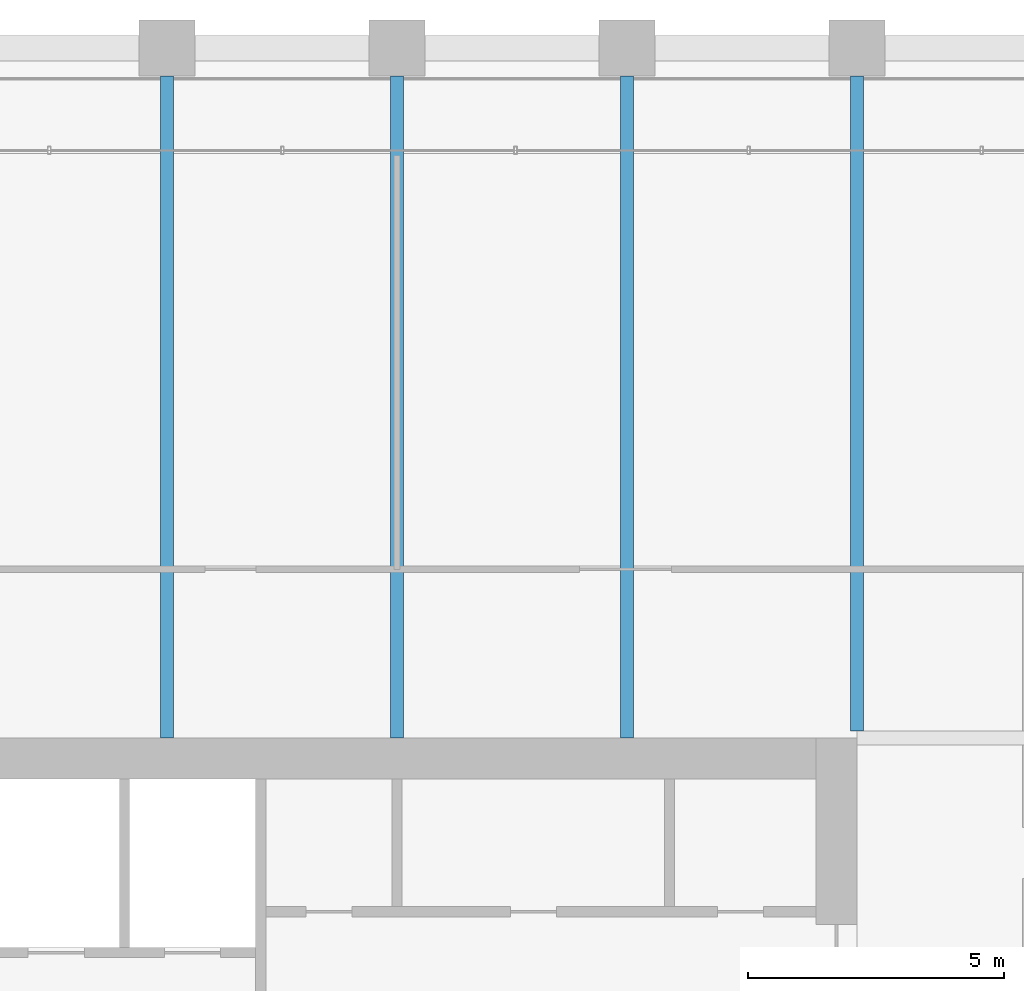
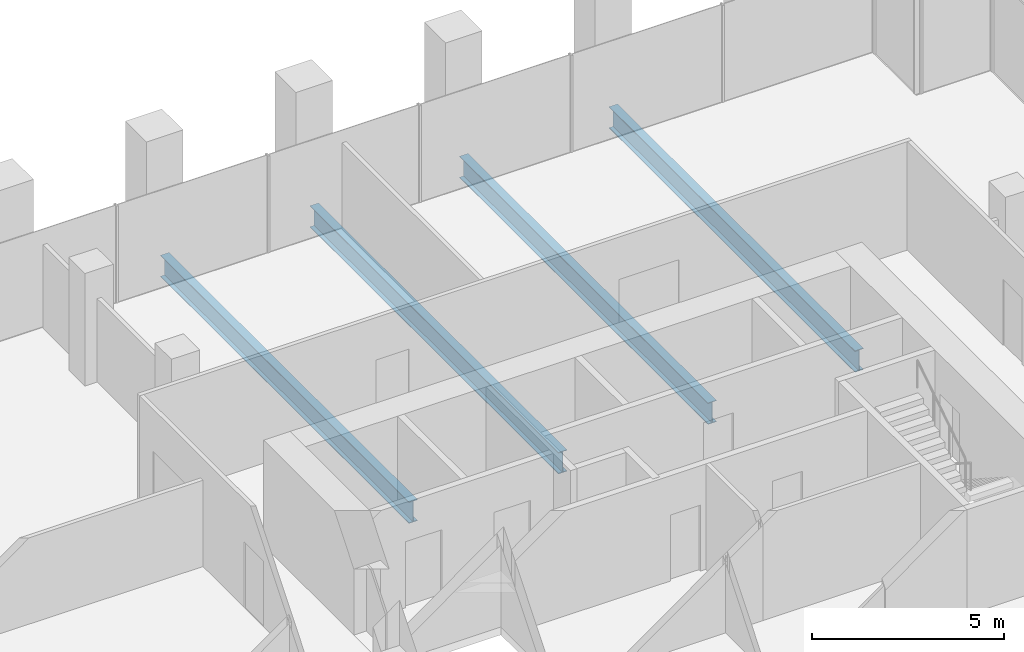
# One storey, part 28 of 56: 4 beams.
"""IFC4 building model written with IfcOpenShell, lengths in metres."""

import ifcopenshell
import ifcopenshell.guid

model = None  # the IFC model being written
_history = None  # IfcOwnerHistory: only IFC2X3 demands one
_inside = {}  # id of a spatial element -> (the spatial element, [elements in it])
_under = {}  # id of a project, library or spatial element -> (it, [spatial elements below it])
_declared = {}  # id of a project -> (the project, [libraries it declares])
_typed = {}  # id of a type object -> (the type object, [elements of that type])
_made_of = {}  # id of a material, layer set ... -> (it, [elements and type objects made of it])


def new_model(schema):
    """Start an empty IFC model of exactly this schema.

    Asked for "IFC4X3", IfcOpenShell would pick the latest addendum, in which some entities
    have other attributes; the version numbers below select the first issue.
    IFC2X3 requires an IfcOwnerHistory on every rooted entity: one is made here for all.
    """
    global model, _history
    if schema == "IFC4X3":
        model = ifcopenshell.file(schema_version=(4, 3, 0, 0))
    else:
        model = ifcopenshell.file(schema=schema)
    _inside.clear()
    _under.clear()
    _declared.clear()
    _typed.clear()
    _made_of.clear()
    _history = None
    if model.schema == "IFC2X3":
        org = make("IfcOrganization", Name="unknown")
        user = make(
            "IfcPersonAndOrganization",
            ThePerson=make("IfcPerson", FamilyName="unknown"),
            TheOrganization=org,
        )
        app = make(
            "IfcApplication",
            ApplicationDeveloper=org,
            Version="unknown",
            ApplicationFullName="unknown",
            ApplicationIdentifier="unknown",
        )
        _history = make(
            "IfcOwnerHistory",
            OwningUser=user,
            OwningApplication=app,
            ChangeAction="ADDED",
            CreationDate=0,
        )
    return model


def make(cls, **values):
    """One entity of the class cls with the attributes given. An attribute that is None is left unset."""
    return model.create_entity(
        cls, **{name: value for name, value in values.items() if value is not None}
    )


def rooted(cls, **values):
    """An entity with a GlobalId (a new one), such as an element, a storey or a relation."""
    return make(cls, GlobalId=ifcopenshell.guid.new(), OwnerHistory=_history, **values)


def si_unit(unit_type, name, prefix=None):
    """IfcSIUnit, for example si_unit("LENGTHUNIT", "METRE", prefix="MILLI")."""
    return make("IfcSIUnit", UnitType=unit_type, Prefix=prefix, Name=name)


def assignment(units):
    """IfcUnitAssignment: the units of a project."""
    return None if units is None else make("IfcUnitAssignment", Units=units)


def point(xyz):
    """IfcCartesianPoint."""
    return None if xyz is None else make("IfcCartesianPoint", Coordinates=xyz)


def direction(xyz):
    """IfcDirection."""
    return None if xyz is None else make("IfcDirection", DirectionRatios=xyz)


def frame(location, z_axis=None, x_axis=None):
    """IfcAxis2Placement3D, a coordinate frame: its origin and axes. An axis left out is left unset."""
    return make(
        "IfcAxis2Placement3D",
        Location=point(location),
        Axis=direction(z_axis),
        RefDirection=direction(x_axis),
    )


def frame_2d(location, x_axis=None):
    """IfcAxis2Placement2D, a coordinate frame in the plane: its origin and x axis."""
    return make(
        "IfcAxis2Placement2D", Location=point(location), RefDirection=direction(x_axis)
    )


def origin():
    """The frame at (0, 0, 0) with its axes left unset."""
    return frame((0.0, 0.0, 0.0))


def origin_2d():
    """The frame at (0, 0) in the plane with its x axis left unset."""
    return frame_2d((0.0, 0.0))


def place(relative_to, where):
    """IfcLocalPlacement: puts the frame where relative to a parent placement (None: the world)."""
    return make(
        "IfcLocalPlacement", PlacementRelTo=relative_to, RelativePlacement=where
    )


def context(
    kind, dimensions, precision=None, world=None, true_north=None, identifier=None
):
    """IfcGeometricRepresentationContext, for example the 3D "Model" context."""
    return make(
        "IfcGeometricRepresentationContext",
        ContextIdentifier=identifier,
        ContextType=kind,
        CoordinateSpaceDimension=dimensions,
        Precision=precision,
        WorldCoordinateSystem=world,
        TrueNorth=true_north,
    )


def subcontext(parent, identifier, kind, view, scale=None):
    """IfcGeometricRepresentationSubContext, for example "Body" below "Model"."""
    return make(
        "IfcGeometricRepresentationSubContext",
        ContextIdentifier=identifier,
        ContextType=kind,
        ParentContext=parent,
        TargetScale=scale,
        TargetView=view,
    )


def project(units=None, contexts=None):
    """IfcProject with its units and contexts."""
    return rooted(
        "IfcProject",
        Name="project",
        RepresentationContexts=contexts,
        UnitsInContext=assignment(units),
    )


def spatial(cls, under=None, at=None, **own):
    """A site, building, storey or space (cls), placed at a placement, below another one or the project."""
    s = rooted(cls, ObjectPlacement=at, **own)
    if under is not None:
        _under.setdefault(under.id(), (under, []))[1].append(s)
    return s


def profile(cls, at=None, kind="AREA", **sizes):
    """A parametric profile (cls). Its sizes go by their IFC names, for example OverallWidth=200.0."""
    return make(cls, ProfileType=kind, Position=at, **sizes)


def i_section(**sizes):
    """IfcIShapeProfileDef."""
    return profile("IfcIShapeProfileDef", **sizes)


def extrude(swept, where, along, depth):
    """IfcExtrudedAreaSolid: the profile swept, set in the frame where, extruded along a direction by depth."""
    return make(
        "IfcExtrudedAreaSolid",
        SweptArea=swept,
        Position=where,
        ExtrudedDirection=direction(along),
        Depth=depth,
    )


def shape(context_of_items, identifier, shape_type, items):
    """IfcShapeRepresentation: the items that make up one representation, for example the "Body"."""
    return make(
        "IfcShapeRepresentation",
        ContextOfItems=context_of_items,
        RepresentationIdentifier=identifier,
        RepresentationType=shape_type,
        Items=items,
    )


def material(Name=None, Category=None):
    """IfcMaterial."""
    return make("IfcMaterial", Name=Name, Category=Category)


def material_profile(
    of_material, cross_section, Name=None, Category=None, Priority=None
):
    """IfcMaterialProfile: a cross section and its material."""
    return make(
        "IfcMaterialProfile",
        Name=Name,
        Material=of_material,
        Profile=cross_section,
        Priority=Priority,
        Category=Category,
    )


def profile_set(profiles, Name=None, composite=None):
    """IfcMaterialProfileSet."""
    return make(
        "IfcMaterialProfileSet",
        Name=Name,
        MaterialProfiles=profiles,
        CompositeProfile=composite,
    )


def made_of(thing, what):
    """Note that an element or type object is made of a material, layer set ...; save() writes the relation."""
    if what is not None:
        _made_of.setdefault(what.id(), (what, []))[1].append(thing)
    return thing


def type_object(cls, material=None, **own):
    """A type object (cls), such as IfcWallType, which elements share."""
    return made_of(rooted(cls, **own), material)


def element(
    cls,
    number,
    at=None,
    inside=None,
    cuts=None,
    type_object=None,
    material=None,
    context=None,
    identifier="Body",
    shape_type=None,
    held_by="IfcProductDefinitionShape",
    body=None,
    shapes=None,
    **own,
):
    """One element of the class cls, such as IfcWall. Its Tag is "e" and its number.

    at: its placement. inside: the storey or other place that contains it. cuts: it is an
    opening in that element (IfcRelVoidsElement). A single representation is given by context,
    identifier, shape_type and body (its items); several are given by shapes. held_by: the class
    of the entity that holds the representations. save() writes the other relations.
    """
    e = rooted(cls, Tag="e%d" % number, ObjectPlacement=at, **own)
    if body is not None:
        shapes = [shape(context, identifier, shape_type, body)]
    if shapes is not None:
        e.Representation = make(held_by, Representations=shapes)
    if inside is not None:
        _inside.setdefault(inside.id(), (inside, []))[1].append(e)
    if cuts is not None:
        rooted(
            "IfcRelVoidsElement", RelatingBuildingElement=cuts, RelatedOpeningElement=e
        )
    if type_object is not None:
        _typed.setdefault(type_object.id(), (type_object, []))[1].append(e)
    return made_of(e, material)


def aggregate(whole, parts):
    """IfcRelAggregates: a whole, such as a stair, and the parts it consists of."""
    return rooted("IfcRelAggregates", RelatingObject=whole, RelatedObjects=parts)


def save(model, path):
    """Write the relations noted so far, then the file.

    IfcRelAggregates (storeys below a building ...), IfcRelContainedInSpatialStructure (elements
    in a storey), IfcRelDefinesByType, IfcRelAssociatesMaterial and IfcRelDeclares: one each for
    every whole, place, type object, material and project.
    """
    for whole, parts in _under.values():
        aggregate(whole, parts)
    for where, things in _inside.values():
        rooted(
            "IfcRelContainedInSpatialStructure",
            RelatedElements=things,
            RelatingStructure=where,
        )
    for kind, things in _typed.values():
        rooted("IfcRelDefinesByType", RelatedObjects=things, RelatingType=kind)
    for what, things in _made_of.values():
        rooted("IfcRelAssociatesMaterial", RelatedObjects=things, RelatingMaterial=what)
    for by, libraries in _declared.values():
        rooted("IfcRelDeclares", RelatingContext=by, RelatedDefinitions=libraries)
    model.write(path)


model = new_model("IFC4")

# Units and contexts
model_context = context("Model", 3, precision=1e-05, world=origin(), true_north=direction((0.0, 1.0)))
body_context = subcontext(model_context, "Body", "Model", "MODEL_VIEW")
ifc_project = project(units=[si_unit("LENGTHUNIT", "METRE"), si_unit("AREAUNIT", "SQUARE_METRE"), si_unit("VOLUMEUNIT", "CUBIC_METRE"), si_unit("PLANEANGLEUNIT", "RADIAN"), si_unit("MASSUNIT", "GRAM", prefix="KILO")], contexts=[model_context])

# Site, building, storey
site_placement = place(None, origin())
site = spatial("IfcSite", under=ifc_project, at=site_placement, CompositionType="ELEMENT")
building_placement = place(site_placement, origin())
building = spatial("IfcBuilding", under=site, at=building_placement, Name="Altepetl Exchange Towers", CompositionType="ELEMENT")
storey_placement = place(building_placement, frame((0.0, 0.0, 79.800048828125)))
storey = spatial("IfcBuildingStorey", under=building, at=storey_placement, Name="L19", CompositionType="ELEMENT", Elevation=79.800048828125)

# Beams
ifc_material = material(Name="Steel S355", Category="steel")
ifc_material_profile = material_profile(ifc_material, i_section(OverallWidth=0.25390625, OverallDepth=0.68408203125, WebThickness=0.012451171875, FlangeThickness=0.018798828125, at=origin_2d()), Name="W27X94")
ifc_profile_set = profile_set([ifc_material_profile], Name="Steel S355")
beam_type = type_object("IfcBeamType", Name="Floor beam W27X94", PredefinedType="BEAM", material=ifc_profile_set)
for number, where, z_axis, x_axis, name in (
    (1, (45.0, 58.5, -0.491943359375), (0.0, 1.0, 0.0), (-1.0, 0.0, 0.0), "bm:A:L19:000"),
    (2, (49.5, 58.5, -0.491943359375), (0.0, 1.0, 0.0), (-1.0, 0.0, 0.0), "bm:A:L19:001"),
    (3, (54.0, 58.5, -0.491943359375), (0.0, 1.0, 0.0), (-1.0, 0.0, 0.0), "bm:A:L19:002"),
):
    element("IfcBeam", number, at=place(storey_placement, frame(where, z_axis=z_axis, x_axis=x_axis)), inside=storey, type_object=beam_type, Name=name, PredefinedType="BEAM", context=body_context, shape_type="SweptSolid", body=[
        extrude(i_section(OverallWidth=0.25390625, OverallDepth=0.68408203125, WebThickness=0.012451171875, FlangeThickness=0.018798828125, at=origin_2d()), origin(), (0.0, 0.0, 1.0), 12.949951171875),
    ])
beam_placement = place(storey_placement, frame((58.5, 58.634033203125, -0.491943359375), z_axis=(0.0, 1.0, 0.0), x_axis=(-1.0, 0.0, 0.0)))
element("IfcBeam", 4, at=beam_placement, inside=storey, type_object=beam_type, Name="bm:A:L19:003", PredefinedType="BEAM", context=body_context, shape_type="SweptSolid", body=[
    extrude(i_section(OverallWidth=0.25390625, OverallDepth=0.68408203125, WebThickness=0.012451171875, FlangeThickness=0.018798828125, at=origin_2d()), origin(), (0.0, 0.0, 1.0), 12.81591796875),
])

save(model, "model.ifc")
